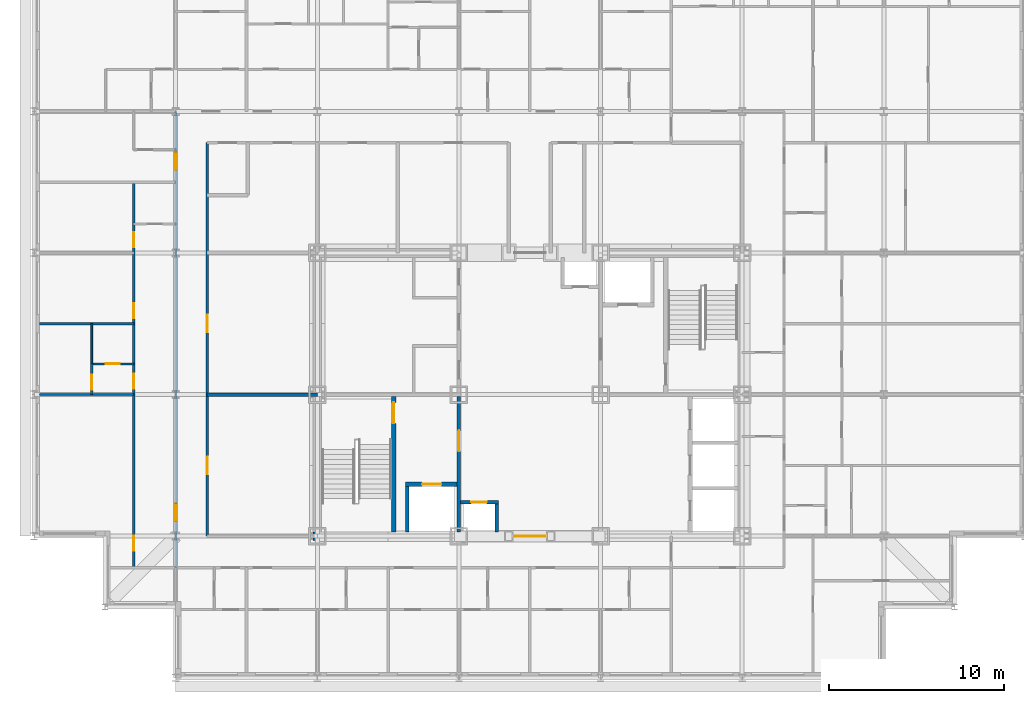
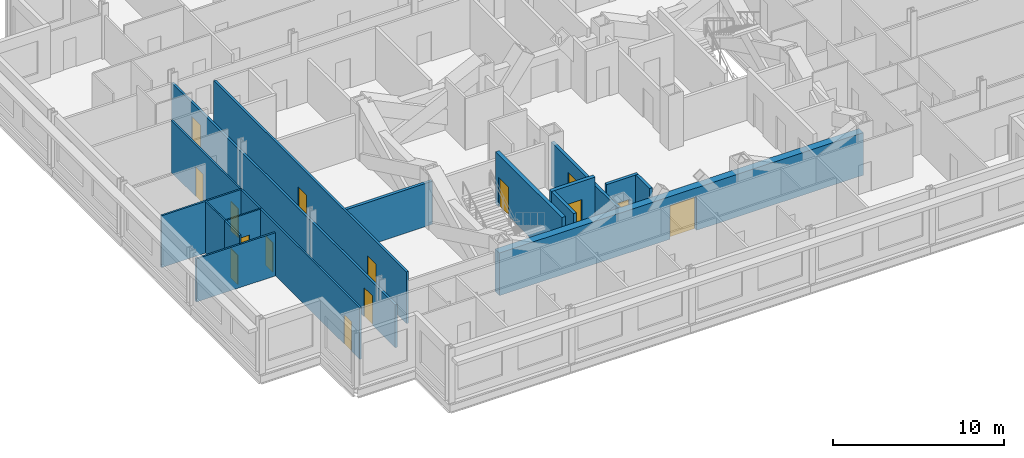
# One storey, part 8 of 16: 16 walls, 15 doors, 15 openings.
"""IFC4 building model written with IfcOpenShell, lengths in metres."""

from ifc_helpers import new_model, si_unit, direction, frame, frame_2d, origin, place, context, subcontext, project, spatial, rectangle, extrude, material, layer, layer_set, type_object, element, fill, save


model = new_model("IFC4")

# Units and contexts
model_context = context("Model", 3, precision=1e-05, world=origin(), true_north=direction((0.0, 1.0)))
body_context = subcontext(model_context, "Body", "Model", "MODEL_VIEW")
ifc_project = project(units=[si_unit("LENGTHUNIT", "METRE"), si_unit("AREAUNIT", "SQUARE_METRE"), si_unit("VOLUMEUNIT", "CUBIC_METRE"), si_unit("PLANEANGLEUNIT", "RADIAN"), si_unit("MASSUNIT", "GRAM", prefix="KILO")], contexts=[model_context])

# Site, building, storey
site_placement = place(None, origin())
site = spatial("IfcSite", under=ifc_project, at=site_placement, CompositionType="ELEMENT")
building_placement = place(site_placement, origin())
building = spatial("IfcBuilding", under=site, at=building_placement, Name="Kopane Lantern Tower", CompositionType="ELEMENT")
storey_placement = place(building_placement, frame((0.0, 0.0, 261.89990234375)))
storey = spatial("IfcBuildingStorey", under=building, at=storey_placement, Name="L67", CompositionType="ELEMENT", Elevation=261.89990234375)

# Wall, openings, doors
ifc_material_1 = material(Name="Gypsum board on steel studs", Category="steel")
ifc_layer_1 = layer(ifc_material_1, 0.1201171875)
ifc_layer_set_1 = layer_set([ifc_layer_1], Name="APARTMENT INTERNAL WALL 120")
wall_type_1 = type_object("IfcWallType", Name="APARTMENT INTERNAL WALL 120", PredefinedType="PARTITIONING", material=ifc_layer_set_1)
wall_1_placement = place(storey_placement, frame((5.699951171875, 22.5, 0.0), z_axis=(0.0, 0.0, 1.0), x_axis=(0.0, 1.0, 0.0)))
wall_1 = element("IfcWall", 1, at=wall_1_placement, inside=storey, type_object=wall_type_1, Name="Apartment Internal Wall 120 L67", PredefinedType="PARTITIONING", context=body_context, shape_type="SweptSolid", body=[
    extrude(rectangle(XDim=22.050048828125, YDim=0.1201171875, at=frame_2d((11.02490234375, 0.0))), origin(), (0.0, 0.0, 1.0), 3.690185546875),
])
opening_1_placement = place(wall_1_placement, frame((0.97509765625, 0.0, 0.0)))
opening_1 = element("IfcOpeningElement", 2, at=opening_1_placement, cuts=wall_1, Name="Opening L67-033", PredefinedType="OPENING", context=body_context, shape_type="SweptSolid", body=[
    extrude(rectangle(XDim=0.85009765625, YDim=2.10009765625, at=frame_2d((0.425048828125, 1.050048828125))), frame((0.0, 0.070068359375, 0.0), z_axis=(0.0, -1.0, 0.0), x_axis=(1.0, 0.0, 0.0)), (0.0, 0.0, 1.0), 0.14013671875),
])
opening_2_placement = place(wall_1_placement, frame((10.22509765625, 0.0, 0.0)))
opening_2 = element("IfcOpeningElement", 3, at=opening_2_placement, cuts=wall_1, Name="Opening L67-035", PredefinedType="OPENING", context=body_context, shape_type="SweptSolid", body=[
    extrude(rectangle(XDim=0.85009765625, YDim=2.10009765625, at=frame_2d((0.425048828125, 1.050048828125))), frame((0.0, 0.070068359375, 0.0), z_axis=(0.0, -1.0, 0.0), x_axis=(1.0, 0.0, 0.0)), (0.0, 0.0, 1.0), 0.14013671875),
])
opening_3_placement = place(wall_1_placement, frame((14.27490234375, 0.0, 0.0)))
opening_3 = element("IfcOpeningElement", 4, at=opening_3_placement, cuts=wall_1, Name="Opening L67-036", PredefinedType="OPENING", context=body_context, shape_type="SweptSolid", body=[
    extrude(rectangle(XDim=0.85009765625, YDim=2.10009765625, at=frame_2d((0.425048828125, 1.050048828125))), frame((0.0, 0.070068359375, 0.0), z_axis=(0.0, -1.0, 0.0), x_axis=(1.0, 0.0, 0.0)), (0.0, 0.0, 1.0), 0.14013671875),
])
opening_4_placement = place(wall_1_placement, frame((18.324951171875, 0.0, 0.0)))
opening_4 = element("IfcOpeningElement", 5, at=opening_4_placement, cuts=wall_1, Name="Opening L67-037", PredefinedType="OPENING", context=body_context, shape_type="SweptSolid", body=[
    extrude(rectangle(XDim=0.85009765625, YDim=2.10009765625, at=frame_2d((0.425048828125, 1.050048828125))), frame((0.0, 0.070068359375, 0.0), z_axis=(0.0, -1.0, 0.0), x_axis=(1.0, 0.0, 0.0)), (0.0, 0.0, 1.0), 0.14013671875),
])
ifc_material_2 = material(Name="Timber door set", Category="wood")
door_type_1 = type_object("IfcDoorType", Name="DOOR D4 850x2100", OperationType="SINGLE_SWING_LEFT", PredefinedType="DOOR", material=ifc_material_2)
door_1_placement = place(opening_1_placement, origin())
door_1 = element("IfcDoor", 6, at=door_1_placement, inside=storey, type_object=door_type_1, Name="Door L67-033", OperationType="SINGLE_SWING_RIGHT", OverallHeight=2.10009765625, OverallWidth=0.85009765625, PredefinedType="DOOR", context=body_context, shape_type="SweptSolid", body=[
    extrude(rectangle(XDim=0.85009765625, YDim=2.10009765625, at=frame_2d((0.425048828125, 1.050048828125))), frame((0.0, 0.02490234375, 0.0), z_axis=(0.0, -1.0, 0.0), x_axis=(1.0, 0.0, 0.0)), (0.0, 0.0, 1.0), 0.050048828125),
])
fill(opening_1, door_1)
door_2_placement = place(opening_2_placement, origin())
door_2 = element("IfcDoor", 7, at=door_2_placement, inside=storey, type_object=door_type_1, Name="Door L67-035", OperationType="SINGLE_SWING_LEFT", OverallHeight=2.10009765625, OverallWidth=0.85009765625, PredefinedType="DOOR", context=body_context, shape_type="SweptSolid", body=[
    extrude(rectangle(XDim=0.85009765625, YDim=2.10009765625, at=frame_2d((0.425048828125, 1.050048828125))), frame((0.0, 0.02490234375, 0.0), z_axis=(0.0, -1.0, 0.0), x_axis=(1.0, 0.0, 0.0)), (0.0, 0.0, 1.0), 0.050048828125),
])
fill(opening_2, door_2)
door_3_placement = place(opening_3_placement, origin())
door_3 = element("IfcDoor", 8, at=door_3_placement, inside=storey, type_object=door_type_1, Name="Door L67-036", OperationType="SINGLE_SWING_LEFT", OverallHeight=2.10009765625, OverallWidth=0.85009765625, PredefinedType="DOOR", context=body_context, shape_type="SweptSolid", body=[
    extrude(rectangle(XDim=0.85009765625, YDim=2.10009765625, at=frame_2d((0.425048828125, 1.050048828125))), frame((0.0, 0.02490234375, 0.0), z_axis=(0.0, -1.0, 0.0), x_axis=(1.0, 0.0, 0.0)), (0.0, 0.0, 1.0), 0.050048828125),
])
fill(opening_3, door_3)
door_4_placement = place(opening_4_placement, origin())
door_4 = element("IfcDoor", 9, at=door_4_placement, inside=storey, type_object=door_type_1, Name="Door L67-037", OperationType="SINGLE_SWING_LEFT", OverallHeight=2.10009765625, OverallWidth=0.85009765625, PredefinedType="DOOR", context=body_context, shape_type="SweptSolid", body=[
    extrude(rectangle(XDim=0.85009765625, YDim=2.10009765625, at=frame_2d((0.425048828125, 1.050048828125))), frame((0.0, 0.02490234375, 0.0), z_axis=(0.0, -1.0, 0.0), x_axis=(1.0, 0.0, 0.0)), (0.0, 0.0, 1.0), 0.050048828125),
])
fill(opening_4, door_4)

# Walls
wall_2_placement = place(storey_placement, frame((5.699951171875, 32.39990234375, 0.0), z_axis=(0.0, 0.0, 1.0), x_axis=(-1.0, 0.0, 0.0)))
element("IfcWall", 10, at=wall_2_placement, inside=storey, type_object=wall_type_1, Name="Apartment Internal Wall 120 L67", PredefinedType="PARTITIONING", context=body_context, shape_type="SweptSolid", body=[
    extrude(rectangle(XDim=5.39990234375, YDim=0.1201171875, at=frame_2d((2.699951171875, 0.0))), origin(), (0.0, 0.0, 1.0), 3.077880859375),
])
wall_3_placement = place(storey_placement, frame((5.699951171875, 36.449951171875, 0.0), z_axis=(0.0, 0.0, 1.0), x_axis=(-1.0, 0.0, 0.0)))
element("IfcWall", 11, at=wall_3_placement, inside=storey, type_object=wall_type_1, Name="Apartment Internal Wall 120 L67", PredefinedType="PARTITIONING", context=body_context, shape_type="SweptSolid", body=[
    extrude(rectangle(XDim=5.39990234375, YDim=0.1201171875, at=frame_2d((2.699951171875, 0.0))), origin(), (0.0, 0.0, 1.0), 3.690185546875),
])

# Wall, opening, door
wall_4_placement = place(storey_placement, frame((3.300048828125, 32.39990234375, 0.0), z_axis=(0.0, 0.0, 1.0), x_axis=(0.0, 1.0, 0.0)))
wall_4 = element("IfcWall", 12, at=wall_4_placement, inside=storey, type_object=wall_type_1, Name="Apartment Internal Wall 120 L67", PredefinedType="PARTITIONING", context=body_context, shape_type="SweptSolid", body=[
    extrude(rectangle(XDim=1.760009765625, YDim=0.1201171875, at=frame_2d((0.8798828125, 0.0))), origin(), (0.0, 0.0, 1.0), 3.690185546875),
])
opening_5_placement = place(wall_4_placement, frame((0.27490234375, 0.0, 0.0)))
opening_5 = element("IfcOpeningElement", 13, at=opening_5_placement, cuts=wall_4, Name="Opening L67-066", PredefinedType="OPENING", context=body_context, shape_type="SweptSolid", body=[
    extrude(rectangle(XDim=0.85009765625, YDim=2.10009765625, at=frame_2d((0.425048828125, 1.050048828125))), frame((0.0, 0.070068359375, 0.0), z_axis=(0.0, -1.0, 0.0), x_axis=(1.0, 0.0, 0.0)), (0.0, 0.0, 1.0), 0.14013671875),
])
door_5_placement = place(opening_5_placement, origin())
door_5 = element("IfcDoor", 14, at=door_5_placement, inside=storey, type_object=door_type_1, Name="Door L67-066", OperationType="SINGLE_SWING_LEFT", OverallHeight=2.10009765625, OverallWidth=0.85009765625, PredefinedType="DOOR", context=body_context, shape_type="SweptSolid", body=[
    extrude(rectangle(XDim=0.85009765625, YDim=2.10009765625, at=frame_2d((0.425048828125, 1.050048828125))), frame((0.0, 0.02490234375, 0.0), z_axis=(0.0, -1.0, 0.0), x_axis=(1.0, 0.0, 0.0)), (0.0, 0.0, 1.0), 0.050048828125),
])
fill(opening_5, door_5)

ifc_material_3 = material(Name="Moisture-resistant board on steel studs", Category="steel")
ifc_layer_2 = layer(ifc_material_3, 0.10009765625)
ifc_layer_set_2 = layer_set([ifc_layer_2], Name="BATHROOM WALL 100")
wall_type_2 = type_object("IfcWallType", Name="BATHROOM WALL 100", PredefinedType="PARTITIONING", material=ifc_layer_set_2)
wall_5_placement = place(storey_placement, frame((5.699951171875, 34.14990234375, 0.0), z_axis=(0.0, 0.0, 1.0), x_axis=(-1.0, 0.0, 0.0)))
wall_5 = element("IfcWall", 15, at=wall_5_placement, inside=storey, type_object=wall_type_2, Name="Bathroom Wall 100 L67", PredefinedType="PARTITIONING", context=body_context, shape_type="SweptSolid", body=[
    extrude(rectangle(XDim=2.39990234375, YDim=0.10009765625, at=frame_2d((1.199951171875, 0.0))), origin(), (0.0, 0.0, 1.0), 3.690185546875),
])
opening_6_placement = place(wall_5_placement, frame((0.800048828125, 0.0, 0.0)))
opening_6 = element("IfcOpeningElement", 16, at=opening_6_placement, cuts=wall_5, Name="Opening L67-034", PredefinedType="OPENING", context=body_context, shape_type="SweptSolid", body=[
    extrude(rectangle(XDim=0.800048828125, YDim=2.10009765625, at=frame_2d((0.39990234375, 1.050048828125))), frame((0.0, 0.06005859375, 0.0), z_axis=(0.0, -1.0, 0.0), x_axis=(1.0, 0.0, 0.0)), (0.0, 0.0, 1.0), 0.1201171875),
])
ifc_material_4 = material(Name="Timber door set", Category="wood")
door_type_2 = type_object("IfcDoorType", Name="DOOR D2 800x2100", OperationType="SINGLE_SWING_LEFT", PredefinedType="DOOR", material=ifc_material_4)
door_6_placement = place(opening_6_placement, origin())
door_6 = element("IfcDoor", 17, at=door_6_placement, inside=storey, type_object=door_type_2, Name="Door L67-034", OperationType="SINGLE_SWING_RIGHT", OverallHeight=2.10009765625, OverallWidth=0.800048828125, PredefinedType="DOOR", context=body_context, shape_type="SweptSolid", body=[
    extrude(rectangle(XDim=0.800048828125, YDim=2.10009765625, at=frame_2d((0.39990234375, 1.050048828125))), frame((0.0, 0.02490234375, 0.0), z_axis=(0.0, -1.0, 0.0), x_axis=(1.0, 0.0, 0.0)), (0.0, 0.0, 1.0), 0.050048828125),
])
fill(opening_6, door_6)

# Wall
wall_6_placement = place(storey_placement, frame((3.300048828125, 34.14990234375, 0.0), z_axis=(0.0, 0.0, 1.0), x_axis=(0.0, 1.0, 0.0)))
element("IfcWall", 18, at=wall_6_placement, inside=storey, type_object=wall_type_2, Name="Bathroom Wall 100 L67", PredefinedType="PARTITIONING", context=body_context, shape_type="SweptSolid", body=[
    extrude(rectangle(XDim=2.300048828125, YDim=0.10009765625, at=frame_2d((1.14990234375, 0.0))), origin(), (0.0, 0.0, 1.0), 3.690185546875),
])

# Wall, opening, door
ifc_material_5 = material(Name="Gypsum shaft wall EI 120", Category="gypsum")
ifc_layer_3 = layer(ifc_material_5, 0.5)
ifc_layer_set_3 = layer_set([ifc_layer_3], Name="CORE PERIMETER WALL 500 EI 120")
wall_type_3 = type_object("IfcWallType", Name="CORE PERIMETER WALL 500 EI 120", PredefinedType="SOLIDWALL", material=ifc_layer_set_3)
wall_7_placement = place(storey_placement, frame((15.949951171875, 24.300048828125, 0.0), z_axis=(0.0, 0.0, 1.0), x_axis=(1.0, 0.0, 0.0)))
wall_7 = element("IfcWall", 19, at=wall_7_placement, inside=storey, type_object=wall_type_3, Name="Core shaft wall L67 PS", PredefinedType="SOLIDWALL", context=body_context, shape_type="SweptSolid", body=[
    extrude(rectangle(XDim=24.550048828125, YDim=0.5, at=frame_2d((12.27490234375, 0.0))), origin(), (0.0, 0.0, 1.0), 3.0400390625),
])
opening_7_placement = place(wall_7_placement, frame((11.5, 0.0, 0.0)))
opening_7 = element("IfcOpeningElement", 20, at=opening_7_placement, cuts=wall_7, Name="Opening 67.CE-S", PredefinedType="OPENING", context=body_context, shape_type="SweptSolid", body=[
    extrude(rectangle(XDim=1.800048828125, YDim=2.39990234375, at=frame_2d((0.89990234375, 1.199951171875))), frame((0.0, 0.260009765625, 0.0), z_axis=(0.0, -1.0, 0.0), x_axis=(1.0, 0.0, 0.0)), (0.0, 0.0, 1.0), 0.52001953125),
])
ifc_material_6 = material(Name="Steel door set", Category="steel")
door_type_3 = type_object("IfcDoorType", Name="CORE ENTRY DOOR 1800x2400 FD60S", OperationType="DOUBLE_DOOR_SINGLE_SWING", PredefinedType="DOOR", material=ifc_material_6)
door_7_placement = place(opening_7_placement, origin())
door_7 = element("IfcDoor", 21, at=door_7_placement, inside=storey, type_object=door_type_3, Name="Core entry door L67 south", OperationType="DOUBLE_DOOR_SINGLE_SWING", OverallHeight=2.39990234375, OverallWidth=1.800048828125, PredefinedType="DOOR", context=body_context, shape_type="SweptSolid", body=[
    extrude(rectangle(XDim=1.800048828125, YDim=2.39990234375, at=frame_2d((0.89990234375, 1.199951171875))), frame((0.0, 0.02490234375, 0.0), z_axis=(0.0, -1.0, 0.0), x_axis=(1.0, 0.0, 0.0)), (0.0, 0.0, 1.0), 0.050048828125),
])
fill(opening_7, door_7)

ifc_material_7 = material(Name="Gypsum shaft wall EI 120", Category="gypsum")
ifc_layer_4 = layer(ifc_material_7, 0.25)
ifc_layer_set_4 = layer_set([ifc_layer_4], Name="CORE SHAFT WALL 250 EI 120")
wall_type_4 = type_object("IfcWallType", Name="CORE SHAFT WALL 250 EI 120", PredefinedType="SOLIDWALL", material=ifc_layer_set_4)
wall_8_placement = place(storey_placement, frame((20.574951171875, 24.550048828125, 0.0), z_axis=(0.0, 0.0, 1.0), x_axis=(0.0, 1.0, 0.0)))
wall_8 = element("IfcWall", 22, at=wall_8_placement, inside=storey, type_object=wall_type_4, Name="Core shaft wall L67 XST1", PredefinedType="SOLIDWALL", context=body_context, shape_type="SweptSolid", body=[
    extrude(rectangle(XDim=7.75, YDim=0.25, at=frame_2d((3.875, 0.0))), origin(), (0.0, 0.0, 1.0), 3.690185546875),
])
opening_8_placement = place(wall_8_placement, frame((6.199951171875, 0.0, 0.0)))
opening_8 = element("IfcOpeningElement", 23, at=opening_8_placement, cuts=wall_8, Name="Opening 67.SD1", PredefinedType="OPENING", context=body_context, shape_type="SweptSolid", body=[
    extrude(rectangle(XDim=1.199951171875, YDim=2.10009765625, at=frame_2d((0.60009765625, 1.050048828125))), frame((0.0, 0.135009765625, 0.0), z_axis=(0.0, -1.0, 0.0), x_axis=(1.0, 0.0, 0.0)), (0.0, 0.0, 1.0), 0.27001953125),
])
ifc_material_8 = material(Name="Steel door set", Category="steel")
door_type_4 = type_object("IfcDoorType", Name="STAIR DOOR 1200x2100 FD60S", OperationType="SINGLE_SWING_LEFT", PredefinedType="DOOR", material=ifc_material_8)
door_8_placement = place(opening_8_placement, origin())
door_8 = element("IfcDoor", 24, at=door_8_placement, inside=storey, type_object=door_type_4, Name="Stair door ST1 L67", OperationType="SINGLE_SWING_LEFT", OverallHeight=2.10009765625, OverallWidth=1.199951171875, PredefinedType="DOOR", context=body_context, shape_type="SweptSolid", body=[
    extrude(rectangle(XDim=1.199951171875, YDim=2.10009765625, at=frame_2d((0.60009765625, 1.050048828125))), frame((0.0, 0.02490234375, 0.0), z_axis=(0.0, -1.0, 0.0), x_axis=(1.0, 0.0, 0.0)), (0.0, 0.0, 1.0), 0.050048828125),
])
fill(opening_8, door_8)

wall_9_placement = place(storey_placement, frame((21.25, 27.27490234375, 0.0), z_axis=(0.0, 0.0, 1.0), x_axis=(1.0, 0.0, 0.0)))
wall_9 = element("IfcWall", 25, at=wall_9_placement, inside=storey, type_object=wall_type_4, Name="Core shaft wall L67 YLF1", PredefinedType="SOLIDWALL", context=body_context, shape_type="SweptSolid", body=[
    extrude(rectangle(XDim=2.949951171875, YDim=0.25, at=frame_2d((1.47509765625, 0.0))), origin(), (0.0, 0.0, 1.0), 3.690185546875),
])
opening_9_placement = place(wall_9_placement, frame((0.949951171875, 0.0, 0.0)))
opening_9 = element("IfcOpeningElement", 26, at=opening_9_placement, cuts=wall_9, Name="Opening 67.LD-LF1", PredefinedType="OPENING", context=body_context, shape_type="SweptSolid", body=[
    extrude(rectangle(XDim=1.10009765625, YDim=2.39990234375, at=frame_2d((0.550048828125, 1.199951171875))), frame((0.0, 0.135009765625, 0.0), z_axis=(0.0, -1.0, 0.0), x_axis=(1.0, 0.0, 0.0)), (0.0, 0.0, 1.0), 0.27001953125),
])
ifc_material_9 = material(Name="Steel door set", Category="steel")
door_type_5 = type_object("IfcDoorType", Name="LIFT LANDING DOOR 1100x2400 FD60", OperationType="DOUBLE_DOOR_SLIDING", PredefinedType="DOOR", material=ifc_material_9)
door_9_placement = place(opening_9_placement, origin())
door_9 = element("IfcDoor", 27, at=door_9_placement, inside=storey, type_object=door_type_5, Name="Landing door LF1 L67", OperationType="DOUBLE_DOOR_SLIDING", OverallHeight=2.39990234375, OverallWidth=1.10009765625, PredefinedType="DOOR", context=body_context, shape_type="SweptSolid", body=[
    extrude(rectangle(XDim=1.10009765625, YDim=2.39990234375, at=frame_2d((0.550048828125, 1.199951171875))), frame((0.0, 0.02490234375, 0.0), z_axis=(0.0, -1.0, 0.0), x_axis=(1.0, 0.0, 0.0)), (0.0, 0.0, 1.0), 0.050048828125),
])
fill(opening_9, door_9)

# Wall, openings, doors
ifc_material_10 = material(Name="Gypsum board on steel studs", Category="steel")
ifc_layer_5 = layer(ifc_material_10, 0.14990234375)
ifc_layer_set_5 = layer_set([ifc_layer_5], Name="CORRIDOR WALL 150 EI 60")
wall_type_5 = type_object("IfcWallType", Name="CORRIDOR WALL 150 EI 60", PredefinedType="PARTITIONING", material=ifc_layer_set_5)
wall_10_placement = place(storey_placement, frame((8.10009765625, 22.5, 0.0), z_axis=(0.0, 0.0, 1.0), x_axis=(0.0, 1.0, 0.0)))
wall_10 = element("IfcWall", 28, at=wall_10_placement, inside=storey, type_object=wall_type_5, Name="Corridor Wall 150 Ei 60 L67", PredefinedType="PARTITIONING", context=body_context, shape_type="SweptSolid", body=[
    extrude(rectangle(XDim=26.10009765625, YDim=0.14990234375, at=frame_2d((13.050048828125, 0.0))), origin(), (0.0, 0.0, 1.0), 3.077880859375),
])
opening_10_placement = place(wall_10_placement, frame((2.64990234375, 0.0, 0.0)))
opening_10 = element("IfcOpeningElement", 29, at=opening_10_placement, cuts=wall_10, Name="Opening L67-032", PredefinedType="OPENING", context=body_context, shape_type="SweptSolid", body=[
    extrude(rectangle(XDim=1.0, YDim=2.10009765625, at=frame_2d((0.5, 1.050048828125))), frame((0.0, 0.0849609375, 0.0), z_axis=(0.0, -1.0, 0.0), x_axis=(1.0, 0.0, 0.0)), (0.0, 0.0, 1.0), 0.169921875),
])
opening_11_placement = place(wall_10_placement, frame((22.75, 0.0, 0.0)))
opening_11 = element("IfcOpeningElement", 30, at=opening_11_placement, cuts=wall_10, Name="Opening L67-039", PredefinedType="OPENING", context=body_context, shape_type="SweptSolid", body=[
    extrude(rectangle(XDim=1.0, YDim=2.10009765625, at=frame_2d((0.5, 1.050048828125))), frame((0.0, 0.0849609375, 0.0), z_axis=(0.0, -1.0, 0.0), x_axis=(1.0, 0.0, 0.0)), (0.0, 0.0, 1.0), 0.169921875),
])
ifc_material_11 = material(Name="Steel door set", Category="steel")
door_type_6 = type_object("IfcDoorType", Name="DOOR D3 1000x2100 FD30S", OperationType="SINGLE_SWING_LEFT", PredefinedType="DOOR", material=ifc_material_11)
door_10_placement = place(opening_10_placement, origin())
door_10 = element("IfcDoor", 31, at=door_10_placement, inside=storey, type_object=door_type_6, Name="Door L67-032", OperationType="SINGLE_SWING_LEFT", OverallHeight=2.10009765625, OverallWidth=1.0, PredefinedType="DOOR", context=body_context, shape_type="SweptSolid", body=[
    extrude(rectangle(XDim=1.0, YDim=2.10009765625, at=frame_2d((0.5, 1.050048828125))), frame((0.0, 0.02490234375, 0.0), z_axis=(0.0, -1.0, 0.0), x_axis=(1.0, 0.0, 0.0)), (0.0, 0.0, 1.0), 0.050048828125),
])
fill(opening_10, door_10)
door_11_placement = place(opening_11_placement, origin())
door_11 = element("IfcDoor", 32, at=door_11_placement, inside=storey, type_object=door_type_6, Name="Door L67-039", OperationType="SINGLE_SWING_RIGHT", OverallHeight=2.10009765625, OverallWidth=1.0, PredefinedType="DOOR", context=body_context, shape_type="SweptSolid", body=[
    extrude(rectangle(XDim=1.0, YDim=2.10009765625, at=frame_2d((0.5, 1.050048828125))), frame((0.0, 0.02490234375, 0.0), z_axis=(0.0, -1.0, 0.0), x_axis=(1.0, 0.0, 0.0)), (0.0, 0.0, 1.0), 0.050048828125),
])
fill(opening_11, door_11)

wall_11_placement = place(storey_placement, frame((9.89990234375, 24.300048828125, 0.0), z_axis=(0.0, 0.0, 1.0), x_axis=(0.0, 1.0, 0.0)))
wall_11 = element("IfcWall", 33, at=wall_11_placement, inside=storey, type_object=wall_type_5, Name="Corridor Wall 150 Ei 60 L67", PredefinedType="PARTITIONING", context=body_context, shape_type="SweptSolid", body=[
    extrude(rectangle(XDim=22.5, YDim=0.14990234375, at=frame_2d((11.25, 0.0))), origin(), (0.0, 0.0, 1.0), 3.690185546875),
])
opening_12_placement = place(wall_11_placement, frame((3.550048828125, 0.0, 0.0)))
opening_12 = element("IfcOpeningElement", 34, at=opening_12_placement, cuts=wall_11, Name="Opening L67-001", PredefinedType="OPENING", context=body_context, shape_type="SweptSolid", body=[
    extrude(rectangle(XDim=1.0, YDim=2.10009765625, at=frame_2d((0.5, 1.050048828125))), frame((0.0, 0.0849609375, 0.0), z_axis=(0.0, -1.0, 0.0), x_axis=(1.0, 0.0, 0.0)), (0.0, 0.0, 1.0), 0.169921875),
])
opening_13_placement = place(wall_11_placement, frame((11.64990234375, 0.0, 0.0)))
opening_13 = element("IfcOpeningElement", 35, at=opening_13_placement, cuts=wall_11, Name="Opening L67-002", PredefinedType="OPENING", context=body_context, shape_type="SweptSolid", body=[
    extrude(rectangle(XDim=1.0, YDim=2.10009765625, at=frame_2d((0.5, 1.050048828125))), frame((0.0, 0.0849609375, 0.0), z_axis=(0.0, -1.0, 0.0), x_axis=(1.0, 0.0, 0.0)), (0.0, 0.0, 1.0), 0.169921875),
])
ifc_material_12 = material(Name="Steel door set", Category="steel")
door_type_7 = type_object("IfcDoorType", Name="DOOR D5 1000x2100 FD60", OperationType="SINGLE_SWING_LEFT", PredefinedType="DOOR", material=ifc_material_12)
door_12_placement = place(opening_12_placement, origin())
door_12 = element("IfcDoor", 36, at=door_12_placement, inside=storey, type_object=door_type_7, Name="Door L67-001", OperationType="SINGLE_SWING_RIGHT", OverallHeight=2.10009765625, OverallWidth=1.0, PredefinedType="DOOR", context=body_context, shape_type="SweptSolid", body=[
    extrude(rectangle(XDim=1.0, YDim=2.10009765625, at=frame_2d((0.5, 1.050048828125))), frame((0.0, 0.02490234375, 0.0), z_axis=(0.0, -1.0, 0.0), x_axis=(1.0, 0.0, 0.0)), (0.0, 0.0, 1.0), 0.050048828125),
])
fill(opening_12, door_12)
door_13_placement = place(opening_13_placement, origin())
door_13 = element("IfcDoor", 37, at=door_13_placement, inside=storey, type_object=door_type_7, Name="Door L67-002", OperationType="SINGLE_SWING_LEFT", OverallHeight=2.10009765625, OverallWidth=1.0, PredefinedType="DOOR", context=body_context, shape_type="SweptSolid", body=[
    extrude(rectangle(XDim=1.0, YDim=2.10009765625, at=frame_2d((0.5, 1.050048828125))), frame((0.0, 0.02490234375, 0.0), z_axis=(0.0, -1.0, 0.0), x_axis=(1.0, 0.0, 0.0)), (0.0, 0.0, 1.0), 0.050048828125),
])
fill(opening_13, door_13)

# Wall
ifc_material_13 = material(Name="Concrete masonry", Category="masonry")
ifc_layer_6 = layer(ifc_material_13, 0.199951171875)
ifc_layer_set_6 = layer_set([ifc_layer_6], Name="PLANT ROOM WALL 200 EI 120")
wall_type_6 = type_object("IfcWallType", Name="PLANT ROOM WALL 200 EI 120", PredefinedType="SOLIDWALL", material=ifc_layer_set_6)
wall_12_placement = place(storey_placement, frame((9.89990234375, 32.39990234375, 0.0), z_axis=(0.0, 0.0, 1.0), x_axis=(1.0, 0.0, 0.0)))
element("IfcWall", 38, at=wall_12_placement, inside=storey, type_object=wall_type_6, Name="Plant Room Wall 200 Ei 120 L67", PredefinedType="SOLIDWALL", context=body_context, shape_type="SweptSolid", body=[
    extrude(rectangle(XDim=6.300048828125, YDim=0.199951171875, at=frame_2d((3.14990234375, 0.0))), origin(), (0.0, 0.0, 1.0), 3.077880859375),
])

# Wall, opening, door
ifc_material_14 = material(Name="Gypsum shaft wall EI 120", Category="gypsum")
ifc_layer_7 = layer(ifc_material_14, 0.199951171875)
ifc_layer_set_7 = layer_set([ifc_layer_7], Name="SHAFT WALL 200 EI 120")
wall_type_7 = type_object("IfcWallType", Name="SHAFT WALL 200 EI 120", PredefinedType="SOLIDWALL", material=ifc_layer_set_7)
wall_13_placement = place(storey_placement, frame((24.300048828125, 24.550048828125, 0.0), z_axis=(0.0, 0.0, 1.0), x_axis=(0.0, 1.0, 0.0)))
wall_13 = element("IfcWall", 39, at=wall_13_placement, inside=storey, type_object=wall_type_7, Name="Core shaft wall L67 X243", PredefinedType="SOLIDWALL", context=body_context, shape_type="SweptSolid", body=[
    extrude(rectangle(XDim=7.75, YDim=0.199951171875, at=frame_2d((3.875, 0.0))), origin(), (0.0, 0.0, 1.0), 3.077880859375),
])
opening_14_placement = place(wall_13_placement, frame((4.60009765625, 0.0, 0.0)))
opening_14 = element("IfcOpeningElement", 40, at=opening_14_placement, cuts=wall_13, Name="Opening 67.FL1", PredefinedType="OPENING", context=body_context, shape_type="SweptSolid", body=[
    extrude(rectangle(XDim=1.199951171875, YDim=2.10009765625, at=frame_2d((0.60009765625, 1.050048828125))), frame((0.0, 0.10986328125, 0.0), z_axis=(0.0, -1.0, 0.0), x_axis=(1.0, 0.0, 0.0)), (0.0, 0.0, 1.0), 0.219970703125),
])
ifc_material_15 = material(Name="Steel door set", Category="steel")
door_type_8 = type_object("IfcDoorType", Name="FIREFIGHTING LOBBY DOOR 1200x2100 FD60S", OperationType="SINGLE_SWING_RIGHT", PredefinedType="DOOR", material=ifc_material_15)
door_14_placement = place(opening_14_placement, origin())
door_14 = element("IfcDoor", 41, at=door_14_placement, inside=storey, type_object=door_type_8, Name="Firefighting lobby door FL1 L67", OperationType="SINGLE_SWING_LEFT", OverallHeight=2.10009765625, OverallWidth=1.199951171875, PredefinedType="DOOR", context=body_context, shape_type="SweptSolid", body=[
    extrude(rectangle(XDim=1.199951171875, YDim=2.10009765625, at=frame_2d((0.60009765625, 1.050048828125))), frame((0.0, 0.02490234375, 0.0), z_axis=(0.0, -1.0, 0.0), x_axis=(1.0, 0.0, 0.0)), (0.0, 0.0, 1.0), 0.050048828125),
])
fill(opening_14, door_14)

# Walls
wall_14_placement = place(storey_placement, frame((21.35009765625, 24.550048828125, 0.0), z_axis=(0.0, 0.0, 1.0), x_axis=(0.0, 1.0, 0.0)))
element("IfcWall", 42, at=wall_14_placement, inside=storey, type_object=wall_type_7, Name="Core shaft wall L67 XLF1", PredefinedType="SOLIDWALL", context=body_context, shape_type="SweptSolid", body=[
    extrude(rectangle(XDim=2.599853515625, YDim=0.199951171875, at=frame_2d((1.2998046875, 0.0))), origin(), (0.0, 0.0, 1.0), 3.690185546875),
])
wall_15_placement = place(storey_placement, frame((26.449951171875, 24.550048828125, 0.0), z_axis=(0.0, 0.0, 1.0), x_axis=(0.0, 1.0, 0.0)))
element("IfcWall", 43, at=wall_15_placement, inside=storey, type_object=wall_type_7, Name="Core shaft wall L67 XRS1", PredefinedType="SOLIDWALL", context=body_context, shape_type="SweptSolid", body=[
    extrude(rectangle(XDim=1.599853515625, YDim=0.199951171875, at=frame_2d((0.7998046875, 0.0))), origin(), (0.0, 0.0, 1.0), 3.690185546875),
])

# Wall, opening, door
wall_16_placement = place(storey_placement, frame((24.39990234375, 26.25, 0.0), z_axis=(0.0, 0.0, 1.0), x_axis=(1.0, 0.0, 0.0)))
wall_16 = element("IfcWall", 44, at=wall_16_placement, inside=storey, type_object=wall_type_7, Name="Core shaft wall L67 YRS1", PredefinedType="SOLIDWALL", context=body_context, shape_type="SweptSolid", body=[
    extrude(rectangle(XDim=2.150146484375, YDim=0.199951171875, at=frame_2d((1.0751953125, 0.0))), origin(), (0.0, 0.0, 1.0), 3.690185546875),
])
opening_15_placement = place(wall_16_placement, frame((0.60009765625, 0.0, 0.0)))
opening_15 = element("IfcOpeningElement", 45, at=opening_15_placement, cuts=wall_16, Name="Opening 67.RS1", PredefinedType="OPENING", context=body_context, shape_type="SweptSolid", body=[
    extrude(rectangle(XDim=0.89990234375, YDim=2.10009765625, at=frame_2d((0.449951171875, 1.050048828125))), frame((0.0, 0.10986328125, 0.0), z_axis=(0.0, -1.0, 0.0), x_axis=(1.0, 0.0, 0.0)), (0.0, 0.0, 1.0), 0.219970703125),
])
ifc_material_16 = material(Name="Steel door set", Category="steel")
door_type_9 = type_object("IfcDoorType", Name="RISER ACCESS DOOR 900x2100 FD60", OperationType="SINGLE_SWING_LEFT", PredefinedType="DOOR", material=ifc_material_16)
door_15_placement = place(opening_15_placement, origin())
door_15 = element("IfcDoor", 46, at=door_15_placement, inside=storey, type_object=door_type_9, Name="Riser access door RS1 L67", OperationType="SINGLE_SWING_LEFT", OverallHeight=2.10009765625, OverallWidth=0.89990234375, PredefinedType="DOOR", context=body_context, shape_type="SweptSolid", body=[
    extrude(rectangle(XDim=0.89990234375, YDim=2.10009765625, at=frame_2d((0.449951171875, 1.050048828125))), frame((0.0, 0.02490234375, 0.0), z_axis=(0.0, -1.0, 0.0), x_axis=(1.0, 0.0, 0.0)), (0.0, 0.0, 1.0), 0.050048828125),
])
fill(opening_15, door_15)

save(model, "model.ifc")
